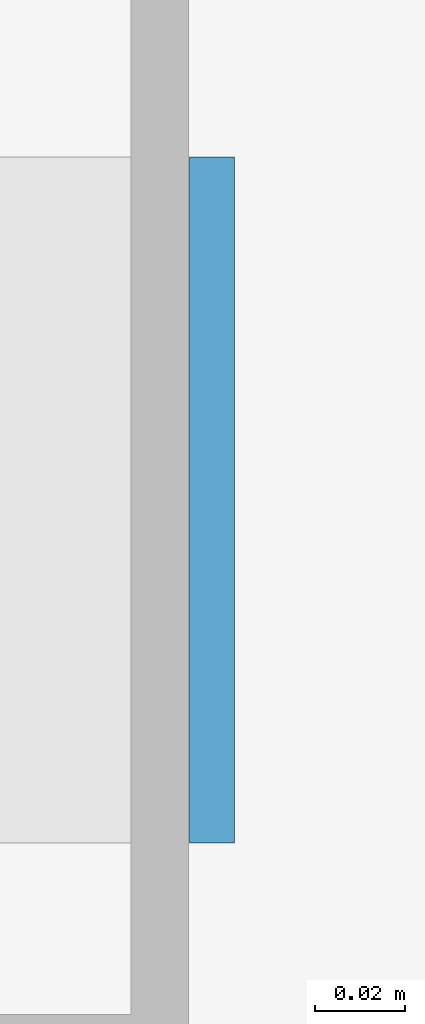
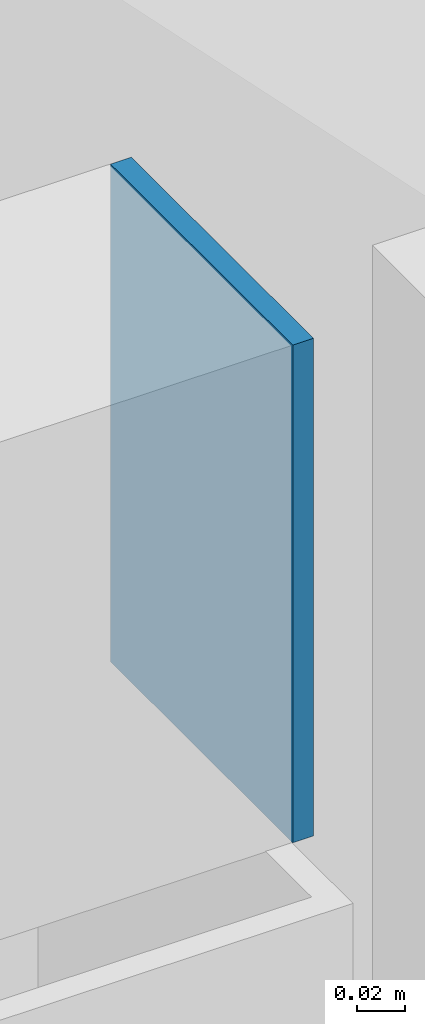
# One storey, part 106 of 127: 1 discrete accessory.
"""IFC4 building model written with IfcOpenShell, lengths in metres."""

from ifc_helpers import new_model, si_unit, direction, frame, origin, origin_2d, place, context, subcontext, project, spatial, rectangle, extrude, material, material_profile, profile_set, type_object, element, save


model = new_model("IFC4")

# Units and contexts
model_context = context("Model", 3, precision=1e-05, world=origin(), true_north=direction((0.0, 1.0)))
body_context = subcontext(model_context, "Body", "Model", "MODEL_VIEW")
ifc_project = project(units=[si_unit("LENGTHUNIT", "METRE"), si_unit("AREAUNIT", "SQUARE_METRE"), si_unit("VOLUMEUNIT", "CUBIC_METRE"), si_unit("PLANEANGLEUNIT", "RADIAN"), si_unit("MASSUNIT", "GRAM", prefix="KILO")], contexts=[model_context])

# Site, building, storey
site_placement = place(None, origin())
site = spatial("IfcSite", under=ifc_project, at=site_placement, CompositionType="ELEMENT")
building_placement = place(site_placement, origin())
building = spatial("IfcBuilding", under=site, at=building_placement, Name="Verrick Yard Athletic Hall", CompositionType="ELEMENT")
storey_placement = place(building_placement, frame((0.0, 0.0, 14.0)))
storey = spatial("IfcBuildingStorey", under=building, at=storey_placement, Name="L03", CompositionType="ELEMENT", Elevation=14.0)

# Discrete accessory
ifc_material = material(Name="Structural steel 350W (CSA G40.21)", Category="steel")
ifc_material_profile = material_profile(ifc_material, rectangle(XDim=0.15234375, YDim=0.25390625, at=origin_2d()), Name="STR End cap plate 254x152x9.5")
ifc_profile_set = profile_set([ifc_material_profile], Name="Structural steel 350W (CSA G40.21)")
discrete_accessory_type = type_object("IfcDiscreteAccessoryType", Name="STR End cap plate 254x152x9.5", PredefinedType="BRACKET", material=ifc_profile_set)
discrete_accessory_placement = place(storey_placement, frame((108.537109375, 99.60009765625, 3.9892578125), z_axis=(-1.0, 0.0, 0.0), x_axis=(0.0, -1.0, 0.0)))
element("IfcDiscreteAccessory", 1, at=discrete_accessory_placement, inside=storey, type_object=discrete_accessory_type, Name="End cap HB-RT-4E A", PredefinedType="BRACKET", context=body_context, shape_type="SweptSolid", body=[
    extrude(rectangle(XDim=0.15234375, YDim=0.25390625, at=origin_2d()), origin(), (0.0, 0.0, 1.0), 0.010009765625),
])

save(model, "model.ifc")
